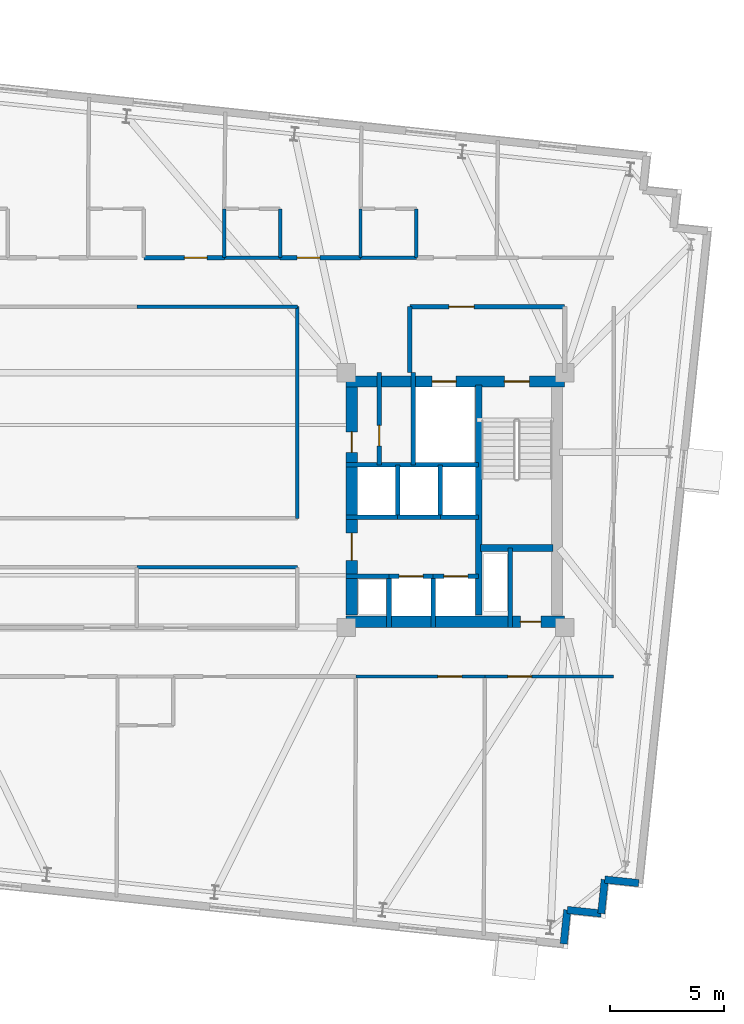
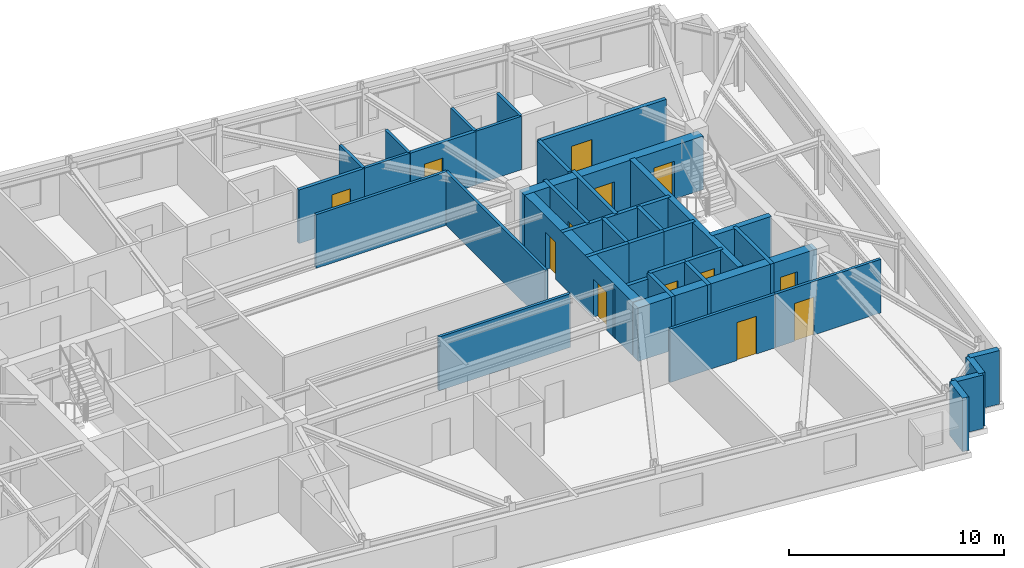
# One storey, part 8 of 12: 38 walls, 13 doors, 13 openings.
"""IFC4 building model written with IfcOpenShell, lengths in metres."""

from ifc_helpers import new_model, si_unit, direction, frame, frame_2d, origin, place, context, subcontext, project, spatial, rectangle, extrude, material, layer, layer_set, type_object, element, fill, save


model = new_model("IFC4")

# Units and contexts
model_context = context("Model", 3, precision=1e-05, world=origin(), true_north=direction((0.0, 1.0)))
body_context = subcontext(model_context, "Body", "Model", "MODEL_VIEW")
ifc_project = project(units=[si_unit("LENGTHUNIT", "METRE"), si_unit("AREAUNIT", "SQUARE_METRE"), si_unit("VOLUMEUNIT", "CUBIC_METRE"), si_unit("PLANEANGLEUNIT", "RADIAN"), si_unit("MASSUNIT", "GRAM", prefix="KILO")], contexts=[model_context])

# Site, building, storey
site_placement = place(None, origin())
site = spatial("IfcSite", under=ifc_project, at=site_placement, CompositionType="ELEMENT")
building_placement = place(site_placement, origin())
building = spatial("IfcBuilding", under=site, at=building_placement, Name="Qobustan Lattice House", CompositionType="ELEMENT")
storey_placement = place(building_placement, frame((0.0, 0.0, 183.0)))
storey = spatial("IfcBuildingStorey", under=building, at=storey_placement, Name="L51", CompositionType="ELEMENT", Elevation=183.0)

# Wall, openings, doors
ifc_material_1 = material(Name="Concrete C50/60", Category="concrete")
ifc_layer_1 = layer(ifc_material_1, 0.5)
ifc_layer_set_1 = layer_set([ifc_layer_1], Name="Concrete C50/60")
wall_type_1 = type_object("IfcWallType", Name="WAL-CORE-500", PredefinedType="SHEAR", material=ifc_layer_set_1)
wall_1_placement = place(storey_placement, frame((9.199951171875, 5.2099609375, 0.0), z_axis=(0.0, 0.0, 1.0), x_axis=(1.0, 0.0, 0.0)))
wall_1 = element("IfcWall", 1, at=wall_1_placement, inside=storey, type_object=wall_type_1, Name="L51 split-core shear wall CE-N", PredefinedType="SHEAR", context=body_context, shape_type="SweptSolid", body=[
    extrude(rectangle(XDim=9.60009765625, YDim=0.5, at=frame_2d((4.800048828125, 0.0))), origin(), (0.0, 0.0, 1.0), 3.0400390625),
])
opening_1_placement = place(wall_1_placement, frame((6.949951171875, 0.0, 0.0)))
opening_1 = element("IfcOpeningElement", 2, at=opening_1_placement, cuts=wall_1, Name="Opening SD-01", PredefinedType="OPENING", context=body_context, shape_type="SweptSolid", body=[
    extrude(rectangle(XDim=1.10009765625, YDim=2.14990234375, at=frame_2d((0.550048828125, 1.074951171875))), frame((0.0, 0.260009765625, 0.0), z_axis=(0.0, -1.0, 0.0), x_axis=(1.0, 0.0, 0.0)), (0.0, 0.0, 1.0), 0.52001953125),
])
opening_2_placement = place(wall_1_placement, frame((3.77490234375, 0.0, 0.0)))
opening_2 = element("IfcOpeningElement", 3, at=opening_2_placement, cuts=wall_1, Name="Opening LD-01", PredefinedType="OPENING", context=body_context, shape_type="SweptSolid", body=[
    extrude(rectangle(XDim=1.050048828125, YDim=2.10009765625, at=frame_2d((0.52490234375, 1.050048828125))), frame((0.0, 0.260009765625, 0.0), z_axis=(0.0, -1.0, 0.0), x_axis=(1.0, 0.0, 0.0)), (0.0, 0.0, 1.0), 0.52001953125),
])
ifc_material_2 = material(Name="Persian walnut timber and steel frame door", Category="steel")
door_type_1 = type_object("IfcDoorType", Name="DOR-LIFT-LD-1050x2100", OperationType="NOTDEFINED", PredefinedType="DOOR", material=ifc_material_2)
door_1_placement = place(opening_2_placement, origin())
door_1 = element("IfcDoor", 4, at=door_1_placement, inside=storey, type_object=door_type_1, Name="L51 firefighting lift FF-E landing door", OperationType="DOUBLE_DOOR_SLIDING", OverallHeight=2.10009765625, OverallWidth=1.050048828125, PredefinedType="DOOR", context=body_context, shape_type="SweptSolid", body=[
    extrude(rectangle(XDim=1.050048828125, YDim=2.10009765625, at=frame_2d((0.52490234375, 1.050048828125))), frame((0.0, 0.02490234375, 0.0), z_axis=(0.0, -1.0, 0.0), x_axis=(1.0, 0.0, 0.0)), (0.0, 0.0, 1.0), 0.050048828125),
])
fill(opening_2, door_1)
ifc_material_3 = material(Name="Persian walnut timber and steel frame door", Category="steel")
door_type_2 = type_object("IfcDoorType", Name="DOR-STAIR-FD-1100x2150", OperationType="NOTDEFINED", PredefinedType="DOOR", material=ifc_material_3)
door_2_placement = place(opening_1_placement, origin())
door_2 = element("IfcDoor", 5, at=door_2_placement, inside=storey, type_object=door_type_2, Name="L51 exit stair ST-E1 fire door", OperationType="SINGLE_SWING_RIGHT", OverallHeight=2.14990234375, OverallWidth=1.10009765625, PredefinedType="DOOR", context=body_context, shape_type="SweptSolid", body=[
    extrude(rectangle(XDim=1.10009765625, YDim=2.14990234375, at=frame_2d((0.550048828125, 1.074951171875))), frame((0.0, 0.02490234375, 0.0), z_axis=(0.0, -1.0, 0.0), x_axis=(1.0, 0.0, 0.0)), (0.0, 0.0, 1.0), 0.050048828125),
])
fill(opening_1, door_2)

# Wall, opening, door
wall_2_placement = place(storey_placement, frame((9.199951171875, -5.35009765625, 0.0), z_axis=(0.0, 0.0, 1.0), x_axis=(1.0, 0.0, 0.0)))
wall_2 = element("IfcWall", 6, at=wall_2_placement, inside=storey, type_object=wall_type_1, Name="L51 split-core shear wall CE-S", PredefinedType="SHEAR", context=body_context, shape_type="SweptSolid", body=[
    extrude(rectangle(XDim=9.60009765625, YDim=0.5, at=frame_2d((4.800048828125, 0.0))), origin(), (0.0, 0.0, 1.0), 3.0400390625),
])
opening_3_placement = place(wall_2_placement, frame((7.64990234375, 0.0, 0.0)))
opening_3 = element("IfcOpeningElement", 7, at=opening_3_placement, cuts=wall_2, Name="Opening RD-01", PredefinedType="OPENING", context=body_context, shape_type="SweptSolid", body=[
    extrude(rectangle(XDim=0.89990234375, YDim=2.10009765625, at=frame_2d((0.449951171875, 1.050048828125))), frame((0.0, 0.260009765625, 0.0), z_axis=(0.0, -1.0, 0.0), x_axis=(1.0, 0.0, 0.0)), (0.0, 0.0, 1.0), 0.52001953125),
])
ifc_material_4 = material(Name="Persian walnut timber and steel frame door", Category="steel")
door_type_3 = type_object("IfcDoorType", Name="DOR-RISER-FD-900x2100", OperationType="NOTDEFINED", PredefinedType="DOOR", material=ifc_material_4)
door_3_placement = place(opening_3_placement, origin())
door_3 = element("IfcDoor", 8, at=door_3_placement, inside=storey, type_object=door_type_3, Name="L51 core service riser access door E", OperationType="SINGLE_SWING_RIGHT", OverallHeight=2.10009765625, OverallWidth=0.89990234375, PredefinedType="DOOR", context=body_context, shape_type="SweptSolid", body=[
    extrude(rectangle(XDim=0.89990234375, YDim=2.10009765625, at=frame_2d((0.449951171875, 1.050048828125))), frame((0.0, 0.02490234375, 0.0), z_axis=(0.0, -1.0, 0.0), x_axis=(1.0, 0.0, 0.0)), (0.0, 0.0, 1.0), 0.050048828125),
])
fill(opening_3, door_3)

# Wall, openings, doors
wall_3_placement = place(storey_placement, frame((9.449951171875, -5.050048828125, 0.0), z_axis=(0.0, 0.0, 1.0), x_axis=(0.0, 1.0, 0.0)))
wall_3 = element("IfcWall", 9, at=wall_3_placement, inside=storey, type_object=wall_type_1, Name="L51 split-core shear wall CE-W", PredefinedType="SHEAR", context=body_context, shape_type="SweptSolid", body=[
    extrude(rectangle(XDim=10.10009765625, YDim=0.5, at=frame_2d((5.050048828125, 0.0))), origin(), (0.0, 0.0, 1.0), 3.0400390625),
])
opening_4_placement = place(wall_3_placement, frame((7.14990234375, 0.0, 0.0)))
opening_4 = element("IfcOpeningElement", 10, at=opening_4_placement, cuts=wall_3, Name="Opening RD-01", PredefinedType="OPENING", context=body_context, shape_type="SweptSolid", body=[
    extrude(rectangle(XDim=0.89990234375, YDim=2.10009765625, at=frame_2d((0.449951171875, 1.050048828125))), frame((0.0, 0.260009765625, 0.0), z_axis=(0.0, -1.0, 0.0), x_axis=(1.0, 0.0, 0.0)), (0.0, 0.0, 1.0), 0.52001953125),
])
opening_5_placement = place(wall_3_placement, frame((2.39990234375, 0.0, 0.0)))
opening_5 = element("IfcOpeningElement", 11, at=opening_5_placement, cuts=wall_3, Name="Opening FD-01", PredefinedType="OPENING", context=body_context, shape_type="SweptSolid", body=[
    extrude(rectangle(XDim=1.199951171875, YDim=2.14990234375, at=frame_2d((0.60009765625, 1.074951171875))), frame((0.0, 0.260009765625, 0.0), z_axis=(0.0, -1.0, 0.0), x_axis=(1.0, 0.0, 0.0)), (0.0, 0.0, 1.0), 0.52001953125),
])
ifc_material_5 = material(Name="Persian walnut timber and steel frame door", Category="steel")
door_type_4 = type_object("IfcDoorType", Name="DOR-LOBBY-FD-1200x2150", OperationType="NOTDEFINED", PredefinedType="DOOR", material=ifc_material_5)
door_4_placement = place(opening_5_placement, origin())
door_4 = element("IfcDoor", 12, at=door_4_placement, inside=storey, type_object=door_type_4, Name="L51 East passenger lift lobby fire door", OperationType="SINGLE_SWING_LEFT", OverallHeight=2.14990234375, OverallWidth=1.199951171875, PredefinedType="DOOR", context=body_context, shape_type="SweptSolid", body=[
    extrude(rectangle(XDim=1.199951171875, YDim=2.14990234375, at=frame_2d((0.60009765625, 1.074951171875))), frame((0.0, 0.02490234375, 0.0), z_axis=(0.0, -1.0, 0.0), x_axis=(1.0, 0.0, 0.0)), (0.0, 0.0, 1.0), 0.050048828125),
])
fill(opening_5, door_4)
door_5_placement = place(opening_4_placement, origin())
door_5 = element("IfcDoor", 13, at=door_5_placement, inside=storey, type_object=door_type_3, Name="L51 Print and mail closet fire door", OperationType="SINGLE_SWING_RIGHT", OverallHeight=2.10009765625, OverallWidth=0.89990234375, PredefinedType="DOOR", context=body_context, shape_type="SweptSolid", body=[
    extrude(rectangle(XDim=0.89990234375, YDim=2.10009765625, at=frame_2d((0.449951171875, 1.050048828125))), frame((0.0, 0.02490234375, 0.0), z_axis=(0.0, -1.0, 0.0), x_axis=(1.0, 0.0, 0.0)), (0.0, 0.0, 1.0), 0.050048828125),
])
fill(opening_4, door_5)

# Walls
ifc_material_6 = material(Name="Concrete C50/60", Category="concrete")
ifc_layer_2 = layer(ifc_material_6, 0.280029296875)
ifc_layer_set_2 = layer_set([ifc_layer_2], Name="Concrete C50/60")
wall_type_2 = type_object("IfcWallType", Name="WAL-CORE-SPINE-280", PredefinedType="SHEAR", material=ifc_layer_set_2)
wall_4_placement = place(storey_placement, frame((15.02001953125, -5.050048828125, 0.0), z_axis=(0.0, 0.0, 1.0), x_axis=(0.0, 1.0, 0.0)))
element("IfcWall", 14, at=wall_4_placement, inside=storey, type_object=wall_type_2, Name="L51 split-core shear wall CE-M", PredefinedType="SHEAR", context=body_context, shape_type="SweptSolid", body=[
    extrude(rectangle(XDim=10.10009765625, YDim=0.300048828125, at=frame_2d((5.050048828125, 0.0))), origin(), (0.0, 0.0, 1.0), 3.0400390625),
])
wall_5_placement = place(storey_placement, frame((15.10009765625, -2.110107421875, 0.0), z_axis=(0.0, 0.0, 1.0), x_axis=(1.0, 0.0, 0.0)))
element("IfcWall", 15, at=wall_5_placement, inside=storey, type_object=wall_type_2, Name="L51 split-core shear wall CE-ST", PredefinedType="SHEAR", context=body_context, shape_type="SweptSolid", body=[
    extrude(rectangle(XDim=3.179931640625, YDim=0.300048828125, at=frame_2d((1.58984375, 0.0))), origin(), (0.0, 0.0, 1.0), 3.0400390625),
])
ifc_material_7 = material(Name="Precast concrete C40/50", Category="concrete")
ifc_layer_3 = layer(ifc_material_7, 0.320068359375)
ifc_layer_set_3 = layer_set([ifc_layer_3], Name="Precast concrete C40/50")
wall_type_3 = type_object("IfcWallType", Name="WAL-EXT-STONE-320", PredefinedType="SOLIDWALL", material=ifc_layer_set_3)
wall_6_placement = place(storey_placement, frame((22.052978515625, -16.828369140625, 0.0), z_axis=(0.0, 0.0, 1.0), x_axis=(-0.994526834051, 0.104481464157, 0.0)))
element("IfcWall", 16, at=wall_6_placement, inside=storey, type_object=wall_type_3, Name="L51 exterior limestone-clad wall 16", PredefinedType="SOLIDWALL", context=body_context, shape_type="SweptSolid", body=[
    extrude(rectangle(XDim=1.500244140625, YDim=0.320068359375, at=frame_2d((0.75, 0.0))), origin(), (0.0, 0.0, 1.0), 3.0400390625),
])
for number, where, z_axis, x_axis, name in (
    (17, (20.56103515625, -16.671630859375, 0.0), (0.0, 0.0, 1.0), (-0.104498377516, -0.994525057048, 0.0), "L51 exterior limestone-clad wall 17"),
    (18, (20.404296875, -18.163330078125, 0.0), (0.0, 0.0, 1.0), (-0.994525057048, 0.104498377516, 0.0), "L51 exterior limestone-clad wall 18"),
    (19, (18.91259765625, -18.006591796875, 0.0), (0.0, 0.0, 1.0), (-0.104498377516, -0.994525057048, 0.0), "L51 exterior limestone-clad wall 19"),
):
    element("IfcWall", number, at=place(storey_placement, frame(where, z_axis=z_axis, x_axis=x_axis)), inside=storey, type_object=wall_type_3, Name=name, PredefinedType="SOLIDWALL", context=body_context, shape_type="SweptSolid", body=[
        extrude(rectangle(XDim=1.5, YDim=0.320068359375, at=frame_2d((0.75, 0.0))), origin(), (0.0, 0.0, 1.0), 3.0400390625),
    ])

# Wall, opening, door
ifc_material_8 = material(Name="Gypsum fireboard acoustic partition", Category="gypsum")
ifc_layer_4 = layer(ifc_material_8, 0.179931640625)
ifc_layer_set_4 = layer_set([ifc_layer_4], Name="Gypsum fireboard acoustic partition")
wall_type_4 = type_object("IfcWallType", Name="WAL-FIRE-180", PredefinedType="PARTITIONING", material=ifc_layer_set_4)
wall_7_placement = place(storey_placement, frame((10.64990234375, 1.550048828125, 0.0), z_axis=(0.0, 0.0, 1.0), x_axis=(0.0, 1.0, 0.0)))
wall_7 = element("IfcWall", 20, at=wall_7_placement, inside=storey, type_object=wall_type_4, Name="L51 interior partition 18", PredefinedType="PARTITIONING", context=body_context, shape_type="SweptSolid", body=[
    extrude(rectangle(XDim=4.050048828125, YDim=0.179931640625, at=frame_2d((2.02490234375, 0.0))), origin(), (0.0, 0.0, 1.0), 3.0400390625),
])
opening_6_placement = place(wall_7_placement, frame((0.828857421875, 0.0, 0.0)))
opening_6 = element("IfcOpeningElement", 21, at=opening_6_placement, cuts=wall_7, Name="Opening RD-01", PredefinedType="OPENING", context=body_context, shape_type="SweptSolid", body=[
    extrude(rectangle(XDim=0.89990234375, YDim=2.10009765625, at=frame_2d((0.449951171875, 1.050048828125))), frame((0.0, 0.099853515625, 0.0), z_axis=(0.0, -1.0, 0.0), x_axis=(1.0, 0.0, 0.0)), (0.0, 0.0, 1.0), 0.199951171875),
])
door_6_placement = place(opening_6_placement, origin())
door_6 = element("IfcDoor", 22, at=door_6_placement, inside=storey, type_object=door_type_3, Name="L51 Print and mail closet to Core utility store door", OperationType="SINGLE_SWING_LEFT", OverallHeight=2.10009765625, OverallWidth=0.89990234375, PredefinedType="DOOR", context=body_context, shape_type="SweptSolid", body=[
    extrude(rectangle(XDim=0.89990234375, YDim=2.10009765625, at=frame_2d((0.449951171875, 1.050048828125))), frame((0.0, 0.02490234375, 0.0), z_axis=(0.0, -1.0, 0.0), x_axis=(1.0, 0.0, 0.0)), (0.0, 0.0, 1.0), 0.050048828125),
])
fill(opening_6, door_6)

wall_8_placement = place(storey_placement, frame((0.306884765625, 10.64990234375, 0.0), z_axis=(0.0, 0.0, 1.0), x_axis=(1.0, 0.0, 0.0)))
wall_8 = element("IfcWall", 23, at=wall_8_placement, inside=storey, type_object=wall_type_4, Name="L51 interior partition 39", PredefinedType="PARTITIONING", context=body_context, shape_type="SweptSolid", body=[
    extrude(rectangle(XDim=3.5361328125, YDim=0.179931640625, at=frame_2d((1.76806640625, 0.0))), origin(), (0.0, 0.0, 1.0), 3.0400390625),
])
opening_7_placement = place(wall_8_placement, frame((1.783935546875, 0.0, 0.0)))
opening_7 = element("IfcOpeningElement", 24, at=opening_7_placement, cuts=wall_8, Name="Opening FD-02", PredefinedType="OPENING", context=body_context, shape_type="SweptSolid", body=[
    extrude(rectangle(XDim=1.0, YDim=2.14990234375, at=frame_2d((0.5, 1.074951171875))), frame((0.0, 0.099853515625, 0.0), z_axis=(0.0, -1.0, 0.0), x_axis=(1.0, 0.0, 0.0)), (0.0, 0.0, 1.0), 0.199951171875),
])
ifc_material_9 = material(Name="Persian walnut timber and steel frame door", Category="steel")
door_type_5 = type_object("IfcDoorType", Name="DOR-UNIT-FD-1000x2150", OperationType="NOTDEFINED", PredefinedType="DOOR", material=ifc_material_9)
door_7_placement = place(opening_7_placement, origin())
door_7 = element("IfcDoor", 25, at=door_7_placement, inside=storey, type_object=door_type_5, Name="L51 North-east floor corridor to Kitchenette and studio apartment L51-N4 door", OperationType="SINGLE_SWING_LEFT", OverallHeight=2.14990234375, OverallWidth=1.0, PredefinedType="DOOR", context=body_context, shape_type="SweptSolid", body=[
    extrude(rectangle(XDim=1.0, YDim=2.14990234375, at=frame_2d((0.5, 1.074951171875))), frame((0.0, 0.02490234375, 0.0), z_axis=(0.0, -1.0, 0.0), x_axis=(1.0, 0.0, 0.0)), (0.0, 0.0, 1.0), 0.050048828125),
])
fill(opening_7, door_7)

wall_9_placement = place(storey_placement, frame((6.29296875, 10.64990234375, 0.0), z_axis=(0.0, 0.0, 1.0), x_axis=(1.0, 0.0, 0.0)))
wall_9 = element("IfcWall", 26, at=wall_9_placement, inside=storey, type_object=wall_type_4, Name="L51 interior partition 40", PredefinedType="PARTITIONING", context=body_context, shape_type="SweptSolid", body=[
    extrude(rectangle(XDim=3.5361328125, YDim=0.179931640625, at=frame_2d((1.76806640625, 0.0))), origin(), (0.0, 0.0, 1.0), 3.0400390625),
])
opening_8_placement = place(wall_9_placement, frame((0.751953125, 0.0, 0.0)))
opening_8 = element("IfcOpeningElement", 27, at=opening_8_placement, cuts=wall_9, Name="Opening FD-02", PredefinedType="OPENING", context=body_context, shape_type="SweptSolid", body=[
    extrude(rectangle(XDim=1.0, YDim=2.14990234375, at=frame_2d((0.5, 1.074951171875))), frame((0.0, 0.099853515625, 0.0), z_axis=(0.0, -1.0, 0.0), x_axis=(1.0, 0.0, 0.0)), (0.0, 0.0, 1.0), 0.199951171875),
])
door_8_placement = place(opening_8_placement, origin())
door_8 = element("IfcDoor", 28, at=door_8_placement, inside=storey, type_object=door_type_5, Name="L51 North-east floor corridor to Kitchenette and studio apartment L51-N5 door", OperationType="SINGLE_SWING_RIGHT", OverallHeight=2.14990234375, OverallWidth=1.0, PredefinedType="DOOR", context=body_context, shape_type="SweptSolid", body=[
    extrude(rectangle(XDim=1.0, YDim=2.14990234375, at=frame_2d((0.5, 1.074951171875))), frame((0.0, 0.02490234375, 0.0), z_axis=(0.0, -1.0, 0.0), x_axis=(1.0, 0.0, 0.0)), (0.0, 0.0, 1.0), 0.050048828125),
])
fill(opening_8, door_8)

# Wall
ifc_material_10 = material(Name="Acoustic twin-stud gypsum partition", Category="gypsum")
ifc_layer_5 = layer(ifc_material_10, 0.14990234375)
ifc_layer_set_5 = layer_set([ifc_layer_5], Name="Acoustic twin-stud gypsum partition")
wall_type_5 = type_object("IfcWallType", Name="WAL-PART-150", PredefinedType="PARTITIONING", material=ifc_layer_set_5)
wall_10_placement = place(storey_placement, frame((7.050048828125, 8.5, 0.0), z_axis=(0.0, 0.0, 1.0), x_axis=(-1.0, 0.0, 0.0)))
element("IfcWall", 29, at=wall_10_placement, inside=storey, type_object=wall_type_5, Name="L51 interior partition 45", PredefinedType="PARTITIONING", context=body_context, shape_type="SweptSolid", body=[
    extrude(rectangle(XDim=7.050048828125, YDim=0.14990234375, at=frame_2d((3.52490234375, 0.0))), origin(), (0.0, 0.0, 1.0), 3.0400390625),
])

# Wall, opening, door
wall_11_placement = place(storey_placement, frame((15.28759765625, -7.75, 0.0), z_axis=(0.0, 0.0, 1.0), x_axis=(-1.0, 0.0, 0.0)))
wall_11 = element("IfcWall", 30, at=wall_11_placement, inside=storey, type_object=wall_type_5, Name="L51 interior partition 54", PredefinedType="PARTITIONING", context=body_context, shape_type="SweptSolid", body=[
    extrude(rectangle(XDim=5.66259765625, YDim=0.14990234375, at=frame_2d((2.831298828125, 0.0))), origin(), (0.0, 0.0, 1.0), 3.0400390625),
])
opening_9_placement = place(wall_11_placement, frame((1.01171875, 0.0, 0.0)))
opening_9 = element("IfcOpeningElement", 31, at=opening_9_placement, cuts=wall_11, Name="Opening ID-02", PredefinedType="OPENING", context=body_context, shape_type="SweptSolid", body=[
    extrude(rectangle(XDim=1.050048828125, YDim=2.14990234375, at=frame_2d((0.52490234375, 1.074951171875))), frame((0.0, 0.0849609375, 0.0), z_axis=(0.0, -1.0, 0.0), x_axis=(1.0, 0.0, 0.0)), (0.0, 0.0, 1.0), 0.169921875),
])
ifc_material_11 = material(Name="Persian walnut timber and steel frame door", Category="steel")
door_type_6 = type_object("IfcDoorType", Name="DOR-STUDY-1050x2150", OperationType="NOTDEFINED", PredefinedType="DOOR", material=ifc_material_11)
door_9_placement = place(opening_9_placement, origin())
door_9 = element("IfcDoor", 32, at=door_9_placement, inside=storey, type_object=door_type_6, Name="L51 South-east floor corridor to Group study room door", OperationType="SINGLE_SWING_RIGHT", OverallHeight=2.14990234375, OverallWidth=1.050048828125, PredefinedType="DOOR", context=body_context, shape_type="SweptSolid", body=[
    extrude(rectangle(XDim=1.050048828125, YDim=2.14990234375, at=frame_2d((0.52490234375, 1.074951171875))), frame((0.0, 0.02490234375, 0.0), z_axis=(0.0, -1.0, 0.0), x_axis=(1.0, 0.0, 0.0)), (0.0, 0.0, 1.0), 0.050048828125),
])
fill(opening_9, door_9)

wall_12_placement = place(storey_placement, frame((20.949951171875, -7.75, 0.0), z_axis=(0.0, 0.0, 1.0), x_axis=(-1.0, 0.0, 0.0)))
wall_12 = element("IfcWall", 33, at=wall_12_placement, inside=storey, type_object=wall_type_5, Name="L51 interior partition 55", PredefinedType="PARTITIONING", context=body_context, shape_type="SweptSolid", body=[
    extrude(rectangle(XDim=5.662353515625, YDim=0.14990234375, at=frame_2d((2.8310546875, 0.0))), origin(), (0.0, 0.0, 1.0), 3.0400390625),
])
opening_10_placement = place(wall_12_placement, frame((3.600830078125, 0.0, 0.0)))
opening_10 = element("IfcOpeningElement", 34, at=opening_10_placement, cuts=wall_12, Name="Opening ID-02", PredefinedType="OPENING", context=body_context, shape_type="SweptSolid", body=[
    extrude(rectangle(XDim=1.050048828125, YDim=2.14990234375, at=frame_2d((0.52490234375, 1.074951171875))), frame((0.0, 0.0849609375, 0.0), z_axis=(0.0, -1.0, 0.0), x_axis=(1.0, 0.0, 0.0)), (0.0, 0.0, 1.0), 0.169921875),
])
door_10_placement = place(opening_10_placement, origin())
door_10 = element("IfcDoor", 35, at=door_10_placement, inside=storey, type_object=door_type_6, Name="L51 South-east floor corridor to Academic seminar room door", OperationType="SINGLE_SWING_LEFT", OverallHeight=2.14990234375, OverallWidth=1.050048828125, PredefinedType="DOOR", context=body_context, shape_type="SweptSolid", body=[
    extrude(rectangle(XDim=1.050048828125, YDim=2.14990234375, at=frame_2d((0.52490234375, 1.074951171875))), frame((0.0, 0.02490234375, 0.0), z_axis=(0.0, -1.0, 0.0), x_axis=(1.0, 0.0, 0.0)), (0.0, 0.0, 1.0), 0.050048828125),
])
fill(opening_10, door_10)

# Walls
wall_13_placement = place(storey_placement, frame((7.050048828125, -2.949951171875, 0.0), z_axis=(0.0, 0.0, 1.0), x_axis=(-1.0, 0.0, 0.0)))
element("IfcWall", 36, at=wall_13_placement, inside=storey, type_object=wall_type_5, Name="L51 interior partition 61", PredefinedType="PARTITIONING", context=body_context, shape_type="SweptSolid", body=[
    extrude(rectangle(XDim=7.050048828125, YDim=0.14990234375, at=frame_2d((3.52490234375, 0.0))), origin(), (0.0, 0.0, 1.0), 3.0400390625),
])
wall_14_placement = place(storey_placement, frame((7.050048828125, -0.800048828125, 0.0), z_axis=(0.0, 0.0, 1.0), x_axis=(0.0, 1.0, 0.0)))
element("IfcWall", 37, at=wall_14_placement, inside=storey, type_object=wall_type_5, Name="L51 interior partition 64", PredefinedType="PARTITIONING", context=body_context, shape_type="SweptSolid", body=[
    extrude(rectangle(XDim=9.300048828125, YDim=0.14990234375, at=frame_2d((4.64990234375, 0.0))), origin(), (0.0, 0.0, 1.0), 3.0400390625),
])

# Wall, opening, door
ifc_material_12 = material(Name="Two-hour gypsum fireboard acoustic partition", Category="gypsum")
ifc_layer_6 = layer(ifc_material_12, 0.199951171875)
ifc_layer_set_6 = layer_set([ifc_layer_6], Name="Two-hour gypsum fireboard acoustic partition")
wall_type_6 = type_object("IfcWallType", Name="WAL-PROT-200", PredefinedType="PARTITIONING", material=ifc_layer_set_6)
wall_15_placement = place(storey_placement, frame((18.800048828125, 8.5, 0.0), z_axis=(0.0, 0.0, 1.0), x_axis=(-1.0, 0.0, 0.0)))
wall_15 = element("IfcWall", 38, at=wall_15_placement, inside=storey, type_object=wall_type_6, Name="L51 interior partition 15", PredefinedType="PARTITIONING", context=body_context, shape_type="SweptSolid", body=[
    extrude(rectangle(XDim=6.800048828125, YDim=0.199951171875, at=frame_2d((3.39990234375, 0.0))), origin(), (0.0, 0.0, 1.0), 3.0400390625),
])
opening_11_placement = place(wall_15_placement, frame((3.985107421875, 0.0, 0.0)))
opening_11 = element("IfcOpeningElement", 39, at=opening_11_placement, cuts=wall_15, Name="Opening SD-01", PredefinedType="OPENING", context=body_context, shape_type="SweptSolid", body=[
    extrude(rectangle(XDim=1.10009765625, YDim=2.14990234375, at=frame_2d((0.550048828125, 1.074951171875))), frame((0.0, 0.10986328125, 0.0), z_axis=(0.0, -1.0, 0.0), x_axis=(1.0, 0.0, 0.0)), (0.0, 0.0, 1.0), 0.219970703125),
])
door_11_placement = place(opening_11_placement, origin())
door_11 = element("IfcDoor", 40, at=door_11_placement, inside=storey, type_object=door_type_2, Name="L51 East firefighting lift lobby to North-east floor corridor door", OperationType="SINGLE_SWING_RIGHT", OverallHeight=2.14990234375, OverallWidth=1.10009765625, PredefinedType="DOOR", context=body_context, shape_type="SweptSolid", body=[
    extrude(rectangle(XDim=1.10009765625, YDim=2.14990234375, at=frame_2d((0.550048828125, 1.074951171875))), frame((0.0, 0.02490234375, 0.0), z_axis=(0.0, -1.0, 0.0), x_axis=(1.0, 0.0, 0.0)), (0.0, 0.0, 1.0), 0.050048828125),
])
fill(opening_11, door_11)

# Walls
wall_16_placement = place(storey_placement, frame((12.0, 8.5, 0.0), z_axis=(0.0, 0.0, 1.0), x_axis=(0.0, -1.0, 0.0)))
element("IfcWall", 41, at=wall_16_placement, inside=storey, type_object=wall_type_6, Name="L51 interior partition 17", PredefinedType="PARTITIONING", context=body_context, shape_type="SweptSolid", body=[
    extrude(rectangle(XDim=2.89990234375, YDim=0.199951171875, at=frame_2d((1.449951171875, 0.0))), origin(), (0.0, 0.0, 1.0), 3.0400390625),
])
ifc_material_13 = material(Name="Concrete C40/50", Category="concrete")
ifc_layer_7 = layer(ifc_material_13, 0.199951171875)
ifc_layer_set_7 = layer_set([ifc_layer_7], Name="Concrete C40/50")
wall_type_7 = type_object("IfcWallType", Name="WAL-SHAFT-200", PredefinedType="PARTITIONING", material=ifc_layer_set_7)
wall_17_placement = place(storey_placement, frame((16.39990234375, -2.110107421875, 0.0), z_axis=(0.0, 0.0, 1.0), x_axis=(0.0, -1.0, 0.0)))
element("IfcWall", 42, at=wall_17_placement, inside=storey, type_object=wall_type_7, Name="L51 interior partition 13", PredefinedType="PARTITIONING", context=body_context, shape_type="SweptSolid", body=[
    extrude(rectangle(XDim=3.489990234375, YDim=0.199951171875, at=frame_2d((1.7451171875, 0.0))), origin(), (0.0, 0.0, 1.0), 3.0400390625),
])
wall_18_placement = place(storey_placement, frame((12.14990234375, 5.60009765625, 0.0), z_axis=(0.0, 0.0, 1.0), x_axis=(0.0, -1.0, 0.0)))
element("IfcWall", 43, at=wall_18_placement, inside=storey, type_object=wall_type_7, Name="L51 interior partition 14", PredefinedType="PARTITIONING", context=body_context, shape_type="SweptSolid", body=[
    extrude(rectangle(XDim=4.050048828125, YDim=0.199951171875, at=frame_2d((2.02490234375, 0.0))), origin(), (0.0, 0.0, 1.0), 3.0400390625),
])
wall_19_placement = place(storey_placement, frame((9.199951171875, -3.35009765625, 0.0), z_axis=(0.0, 0.0, 1.0), x_axis=(1.0, 0.0, 0.0)))
element("IfcWall", 44, at=wall_19_placement, inside=storey, type_object=wall_type_7, Name="L51 interior partition 20", PredefinedType="PARTITIONING", context=body_context, shape_type="SweptSolid", body=[
    extrude(rectangle(XDim=1.880126953125, YDim=0.199951171875, at=frame_2d((0.93994140625, 0.0))), origin(), (0.0, 0.0, 1.0), 2.7548828125),
])

# Wall, opening, door
wall_20_placement = place(storey_placement, frame((11.080078125, -3.35009765625, 0.0), z_axis=(0.0, 0.0, 1.0), x_axis=(1.0, 0.0, 0.0)))
wall_20 = element("IfcWall", 45, at=wall_20_placement, inside=storey, type_object=wall_type_7, Name="L51 interior partition 21", PredefinedType="PARTITIONING", context=body_context, shape_type="SweptSolid", body=[
    extrude(rectangle(XDim=1.93994140625, YDim=0.199951171875, at=frame_2d((0.969970703125, 0.0))), origin(), (0.0, 0.0, 1.0), 3.0400390625),
])
opening_12_placement = place(wall_20_placement, frame((0.445068359375, 0.0, 0.0)))
opening_12 = element("IfcOpeningElement", 46, at=opening_12_placement, cuts=wall_20, Name="Opening LD-01", PredefinedType="OPENING", context=body_context, shape_type="SweptSolid", body=[
    extrude(rectangle(XDim=1.050048828125, YDim=2.10009765625, at=frame_2d((0.52490234375, 1.050048828125))), frame((0.0, 0.10986328125, 0.0), z_axis=(0.0, -1.0, 0.0), x_axis=(1.0, 0.0, 0.0)), (0.0, 0.0, 1.0), 0.219970703125),
])
door_12_placement = place(opening_12_placement, origin())
door_12 = element("IfcDoor", 47, at=door_12_placement, inside=storey, type_object=door_type_1, Name="L51 lift landing door", OperationType="DOUBLE_DOOR_SLIDING", OverallHeight=2.10009765625, OverallWidth=1.050048828125, PredefinedType="DOOR", context=body_context, shape_type="SweptSolid", body=[
    extrude(rectangle(XDim=1.050048828125, YDim=2.10009765625, at=frame_2d((0.52490234375, 1.050048828125))), frame((0.0, 0.02490234375, 0.0), z_axis=(0.0, -1.0, 0.0), x_axis=(1.0, 0.0, 0.0)), (0.0, 0.0, 1.0), 0.050048828125),
])
fill(opening_12, door_12)

wall_21_placement = place(storey_placement, frame((13.02001953125, -3.35009765625, 0.0), z_axis=(0.0, 0.0, 1.0), x_axis=(1.0, 0.0, 0.0)))
wall_21 = element("IfcWall", 48, at=wall_21_placement, inside=storey, type_object=wall_type_7, Name="L51 interior partition 22", PredefinedType="PARTITIONING", context=body_context, shape_type="SweptSolid", body=[
    extrude(rectangle(XDim=2.0, YDim=0.199951171875, at=frame_2d((1.0, 0.0))), origin(), (0.0, 0.0, 1.0), 3.0400390625),
])
opening_13_placement = place(wall_21_placement, frame((0.47509765625, 0.0, 0.0)))
opening_13 = element("IfcOpeningElement", 49, at=opening_13_placement, cuts=wall_21, Name="Opening LD-01", PredefinedType="OPENING", context=body_context, shape_type="SweptSolid", body=[
    extrude(rectangle(XDim=1.050048828125, YDim=2.10009765625, at=frame_2d((0.52490234375, 1.050048828125))), frame((0.0, 0.10986328125, 0.0), z_axis=(0.0, -1.0, 0.0), x_axis=(1.0, 0.0, 0.0)), (0.0, 0.0, 1.0), 0.219970703125),
])
door_13_placement = place(opening_13_placement, origin())
door_13 = element("IfcDoor", 50, at=door_13_placement, inside=storey, type_object=door_type_1, Name="L51 lift landing door", OperationType="DOUBLE_DOOR_SLIDING", OverallHeight=2.10009765625, OverallWidth=1.050048828125, PredefinedType="DOOR", context=body_context, shape_type="SweptSolid", body=[
    extrude(rectangle(XDim=1.050048828125, YDim=2.10009765625, at=frame_2d((0.52490234375, 1.050048828125))), frame((0.0, 0.02490234375, 0.0), z_axis=(0.0, -1.0, 0.0), x_axis=(1.0, 0.0, 0.0)), (0.0, 0.0, 1.0), 0.050048828125),
])
fill(opening_13, door_13)

# Walls
wall_22_placement = place(storey_placement, frame((11.4599609375, -0.75, 0.0), z_axis=(0.0, 0.0, 1.0), x_axis=(-1.0, 0.0, 0.0)))
element("IfcWall", 51, at=wall_22_placement, inside=storey, type_object=wall_type_7, Name="L51 interior partition 23", PredefinedType="PARTITIONING", context=body_context, shape_type="SweptSolid", body=[
    extrude(rectangle(XDim=2.260009765625, YDim=0.199951171875, at=frame_2d((1.1298828125, 0.0))), origin(), (0.0, 0.0, 1.0), 3.0400390625),
])
wall_23_placement = place(storey_placement, frame((13.340087890625, -0.75, 0.0), z_axis=(0.0, 0.0, 1.0), x_axis=(-1.0, 0.0, 0.0)))
element("IfcWall", 52, at=wall_23_placement, inside=storey, type_object=wall_type_7, Name="L51 interior partition 24", PredefinedType="PARTITIONING", context=body_context, shape_type="SweptSolid", body=[
    extrude(rectangle(XDim=1.880126953125, YDim=0.199951171875, at=frame_2d((0.93994140625, 0.0))), origin(), (0.0, 0.0, 1.0), 3.0400390625),
])
wall_24_placement = place(storey_placement, frame((15.02001953125, -0.75, 0.0), z_axis=(0.0, 0.0, 1.0), x_axis=(-1.0, 0.0, 0.0)))
element("IfcWall", 53, at=wall_24_placement, inside=storey, type_object=wall_type_7, Name="L51 interior partition 25", PredefinedType="PARTITIONING", context=body_context, shape_type="SweptSolid", body=[
    extrude(rectangle(XDim=1.679931640625, YDim=0.199951171875, at=frame_2d((0.83984375, 0.0))), origin(), (0.0, 0.0, 1.0), 3.0400390625),
])
for number, where, z_axis, x_axis, name in (
    (54, (11.080078125, -5.60009765625, 0.0), (0.0, 0.0, 1.0), (0.0, 1.0, 0.0), "L51 interior partition 27"),
    (55, (13.02001953125, -5.60009765625, 0.0), (0.0, 0.0, 1.0), (0.0, 1.0, 0.0), "L51 interior partition 28"),
):
    element("IfcWall", number, at=place(storey_placement, frame(where, z_axis=z_axis, x_axis=x_axis)), inside=storey, type_object=wall_type_7, Name=name, PredefinedType="PARTITIONING", context=body_context, shape_type="SweptSolid", body=[
        extrude(rectangle(XDim=2.25, YDim=0.199951171875, at=frame_2d((1.125, 0.0))), origin(), (0.0, 0.0, 1.0), 3.0400390625),
    ])
for number, where, z_axis, x_axis, name in (
    (56, (11.4599609375, -0.75, 0.0), (0.0, 0.0, 1.0), (0.0, 1.0, 0.0), "L51 interior partition 29"),
    (57, (13.340087890625, -0.75, 0.0), (0.0, 0.0, 1.0), (0.0, 1.0, 0.0), "L51 interior partition 30"),
):
    element("IfcWall", number, at=place(storey_placement, frame(where, z_axis=z_axis, x_axis=x_axis)), inside=storey, type_object=wall_type_7, Name=name, PredefinedType="PARTITIONING", context=body_context, shape_type="SweptSolid", body=[
        extrude(rectangle(XDim=2.300048828125, YDim=0.199951171875, at=frame_2d((1.14990234375, 0.0))), origin(), (0.0, 0.0, 1.0), 3.0400390625),
    ])
wall_25_placement = place(storey_placement, frame((9.199951171875, 1.550048828125, 0.0), z_axis=(0.0, 0.0, 1.0), x_axis=(1.0, 0.0, 0.0)))
element("IfcWall", 58, at=wall_25_placement, inside=storey, type_object=wall_type_7, Name="L51 interior partition 112", PredefinedType="PARTITIONING", context=body_context, shape_type="SweptSolid", body=[
    extrude(rectangle(XDim=5.820068359375, YDim=0.199951171875, at=frame_2d((2.91015625, 0.0))), origin(), (0.0, 0.0, 1.0), 3.0400390625),
])
ifc_material_14 = material(Name="Moisture-resistant acoustic plumbing wall", Category="gypsum")
ifc_layer_8 = layer(ifc_material_14, 0.14990234375)
ifc_layer_set_8 = layer_set([ifc_layer_8], Name="Moisture-resistant acoustic plumbing wall")
wall_type_8 = type_object("IfcWallType", Name="WAL-WET-150", PredefinedType="PLUMBINGWALL", material=ifc_layer_set_8)
for number, where, z_axis, x_axis, name in (
    (59, (3.843017578125, 10.64990234375, 0.0), (0.0, 0.0, 1.0), (1.0, 0.0, 0.0), "L51 interior partition 41"),
    (60, (9.8291015625, 10.64990234375, 0.0), (0.0, 0.0, 1.0), (1.0, 0.0, 0.0), "L51 interior partition 43"),
):
    element("IfcWall", number, at=place(storey_placement, frame(where, z_axis=z_axis, x_axis=x_axis)), inside=storey, type_object=wall_type_8, Name=name, PredefinedType="PLUMBINGWALL", context=body_context, shape_type="SweptSolid", body=[
        extrude(rectangle(XDim=2.449951171875, YDim=0.14990234375, at=frame_2d((1.22509765625, 0.0))), origin(), (0.0, 0.0, 1.0), 3.0400390625),
    ])
for number, where, z_axis, x_axis, name in (
    (61, (3.843017578125, 12.800048828125, 0.0), (0.0, 0.0, 1.0), (0.0, -1.0, 0.0), "L51 interior partition 92"),
    (62, (6.29296875, 10.64990234375, 0.0), (0.0, 0.0, 1.0), (0.0, 1.0, 0.0), "L51 interior partition 94"),
    (63, (9.8291015625, 12.800048828125, 0.0), (0.0, 0.0, 1.0), (0.0, -1.0, 0.0), "L51 interior partition 96"),
    (64, (12.279052734375, 10.64990234375, 0.0), (0.0, 0.0, 1.0), (0.0, 1.0, 0.0), "L51 interior partition 98"),
):
    element("IfcWall", number, at=place(storey_placement, frame(where, z_axis=z_axis, x_axis=x_axis)), inside=storey, type_object=wall_type_8, Name=name, PredefinedType="PLUMBINGWALL", context=body_context, shape_type="SweptSolid", body=[
        extrude(rectangle(XDim=2.150146484375, YDim=0.14990234375, at=frame_2d((1.0751953125, 0.0))), origin(), (0.0, 0.0, 1.0), 3.0400390625),
    ])

save(model, "model.ifc")
